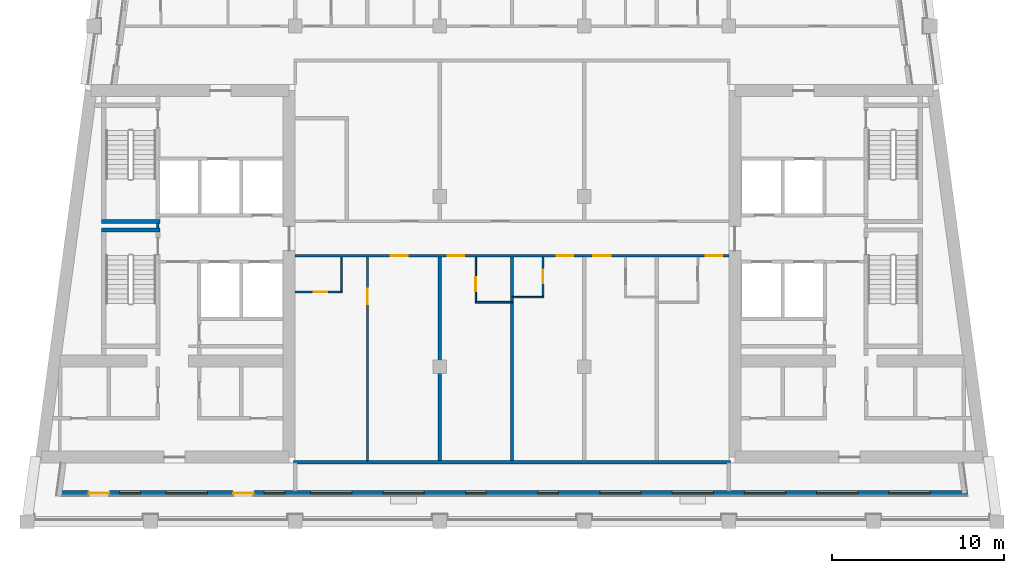
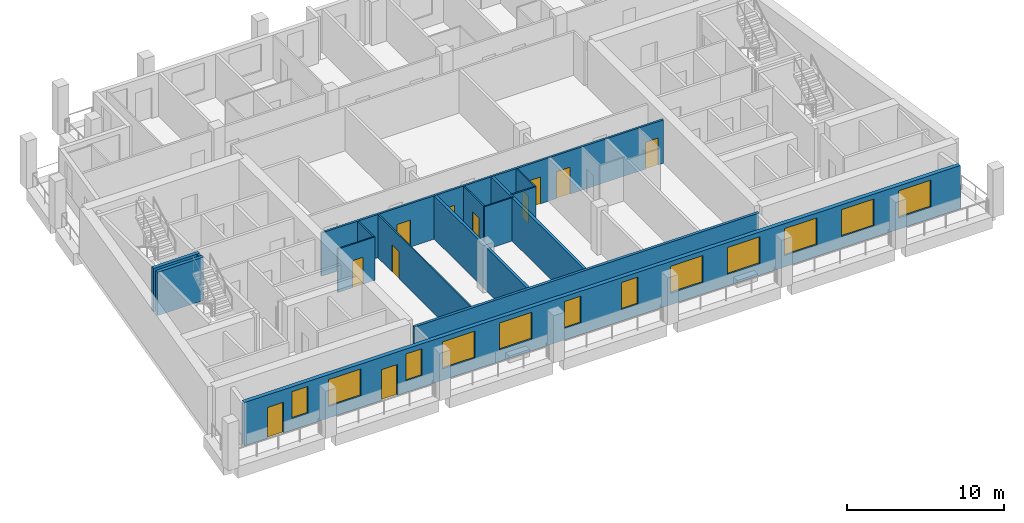
# One storey, part 3 of 13: 15 walls, 12 windows, 11 doors, 23 openings.
"""IFC4 building model written with IfcOpenShell, lengths in metres."""

from ifc_helpers import new_model, si_unit, direction, frame, frame_2d, origin, place, context, subcontext, project, spatial, rectangle, extrude, material, layer, layer_set, type_object, element, fill, save


model = new_model("IFC4")

# Units and contexts
model_context = context("Model", 3, precision=1e-05, world=origin(), true_north=direction((0.0, 1.0)))
body_context = subcontext(model_context, "Body", "Model", "MODEL_VIEW")
ifc_project = project(units=[si_unit("LENGTHUNIT", "METRE"), si_unit("AREAUNIT", "SQUARE_METRE"), si_unit("VOLUMEUNIT", "CUBIC_METRE"), si_unit("PLANEANGLEUNIT", "RADIAN"), si_unit("MASSUNIT", "GRAM", prefix="KILO")], contexts=[model_context])

# Site, building, storey
site_placement = place(None, origin())
site = spatial("IfcSite", under=ifc_project, at=site_placement, CompositionType="ELEMENT")
building_placement = place(site_placement, origin())
building = spatial("IfcBuilding", under=site, at=building_placement, Name="Candeia Pilgrim Tower and Theatre", CompositionType="ELEMENT")
storey_placement = place(building_placement, frame((0.0, 0.0, 277.5)))
storey = spatial("IfcBuildingStorey", under=building, at=storey_placement, Name="L67", CompositionType="ELEMENT", Elevation=277.5)

# Wall, openings, doors, windows
ifc_material_1 = material(Name="Ceramic block masonry", Category="masonry")
ifc_layer_1 = layer(ifc_material_1, 0.300048828125)
ifc_layer_set_1 = layer_set([ifc_layer_1], Name="EW1 glazing-line wall 300")
wall_type_1 = type_object("IfcWallType", Name="EW1 glazing-line wall 300", PredefinedType="SOLIDWALL", material=ifc_layer_set_1)
wall_1_placement = place(storey_placement, frame((87.0986328125, 108.64990234375, 0.0), z_axis=(0.0, 0.0, 1.0), x_axis=(1.0, 0.0, 0.0)))
wall_1 = element("IfcWall", 1, at=wall_1_placement, inside=storey, type_object=wall_type_1, Name="External wall L67-1.0", PredefinedType="SOLIDWALL", context=body_context, shape_type="SweptSolid", body=[
    extrude(rectangle(XDim=52.7744140625, YDim=0.300048828125, at=frame_2d((26.38720703125, 0.0))), origin(), (0.0, 0.0, 1.0), 3.3798828125),
])
opening_1_placement = place(wall_1_placement, frame((1.701416015625, 0.0, 0.0)))
opening_1 = element("IfcOpeningElement", 2, at=opening_1_placement, cuts=wall_1, Name="Opening L67-ED629", PredefinedType="OPENING", context=body_context, shape_type="SweptSolid", body=[
    extrude(rectangle(XDim=1.199951171875, YDim=2.39990234375, at=frame_2d((0.60009765625, 1.199951171875))), frame((0.0, 0.16015625, 0.0), z_axis=(0.0, -1.0, 0.0), x_axis=(1.0, 0.0, 0.0)), (0.0, 0.0, 1.0), 0.320068359375),
])
opening_2_placement = place(wall_1_placement, frame((3.50146484375, 0.0, 0.89990234375)))
opening_2 = element("IfcOpeningElement", 3, at=opening_2_placement, cuts=wall_1, Name="Opening W-B", PredefinedType="OPENING", context=body_context, shape_type="SweptSolid", body=[
    extrude(rectangle(XDim=1.199951171875, YDim=2.10009765625, at=frame_2d((0.60009765625, 1.050048828125))), frame((0.0, 0.16015625, 0.0), z_axis=(0.0, -1.0, 0.0), x_axis=(1.0, 0.0, 0.0)), (0.0, 0.0, 1.0), 0.320068359375),
])
opening_3_placement = place(wall_1_placement, frame((6.201416015625, 0.0, 0.89990234375)))
opening_3 = element("IfcOpeningElement", 4, at=opening_3_placement, cuts=wall_1, Name="Opening W-A", PredefinedType="OPENING", context=body_context, shape_type="SweptSolid", body=[
    extrude(rectangle(XDim=2.39990234375, YDim=2.10009765625, at=frame_2d((1.199951171875, 1.050048828125))), frame((0.0, 0.16015625, 0.0), z_axis=(0.0, -1.0, 0.0), x_axis=(1.0, 0.0, 0.0)), (0.0, 0.0, 1.0), 0.320068359375),
])
opening_4_placement = place(wall_1_placement, frame((10.1015625, 0.0, 0.0)))
opening_4 = element("IfcOpeningElement", 5, at=opening_4_placement, cuts=wall_1, Name="Opening L67-ED630", PredefinedType="OPENING", context=body_context, shape_type="SweptSolid", body=[
    extrude(rectangle(XDim=1.199951171875, YDim=2.39990234375, at=frame_2d((0.60009765625, 1.199951171875))), frame((0.0, 0.16015625, 0.0), z_axis=(0.0, -1.0, 0.0), x_axis=(1.0, 0.0, 0.0)), (0.0, 0.0, 1.0), 0.320068359375),
])
opening_5_placement = place(wall_1_placement, frame((11.9013671875, 0.0, 0.89990234375)))
opening_5 = element("IfcOpeningElement", 6, at=opening_5_placement, cuts=wall_1, Name="Opening W-B", PredefinedType="OPENING", context=body_context, shape_type="SweptSolid", body=[
    extrude(rectangle(XDim=1.199951171875, YDim=2.10009765625, at=frame_2d((0.60009765625, 1.050048828125))), frame((0.0, 0.16015625, 0.0), z_axis=(0.0, -1.0, 0.0), x_axis=(1.0, 0.0, 0.0)), (0.0, 0.0, 1.0), 0.320068359375),
])
opening_6_placement = place(wall_1_placement, frame((14.6015625, 0.0, 0.89990234375)))
opening_6 = element("IfcOpeningElement", 7, at=opening_6_placement, cuts=wall_1, Name="Opening W-A", PredefinedType="OPENING", context=body_context, shape_type="SweptSolid", body=[
    extrude(rectangle(XDim=2.39990234375, YDim=2.10009765625, at=frame_2d((1.199951171875, 1.050048828125))), frame((0.0, 0.16015625, 0.0), z_axis=(0.0, -1.0, 0.0), x_axis=(1.0, 0.0, 0.0)), (0.0, 0.0, 1.0), 0.320068359375),
])
opening_7_placement = place(wall_1_placement, frame((18.801513671875, 0.0, 0.89990234375)))
opening_7 = element("IfcOpeningElement", 8, at=opening_7_placement, cuts=wall_1, Name="Opening W-A", PredefinedType="OPENING", context=body_context, shape_type="SweptSolid", body=[
    extrude(rectangle(XDim=2.39990234375, YDim=2.10009765625, at=frame_2d((1.199951171875, 1.050048828125))), frame((0.0, 0.16015625, 0.0), z_axis=(0.0, -1.0, 0.0), x_axis=(1.0, 0.0, 0.0)), (0.0, 0.0, 1.0), 0.320068359375),
])
opening_8_placement = place(wall_1_placement, frame((23.6015625, 0.0, 0.89990234375)))
opening_8 = element("IfcOpeningElement", 9, at=opening_8_placement, cuts=wall_1, Name="Opening W-B", PredefinedType="OPENING", context=body_context, shape_type="SweptSolid", body=[
    extrude(rectangle(XDim=1.199951171875, YDim=2.10009765625, at=frame_2d((0.60009765625, 1.050048828125))), frame((0.0, 0.16015625, 0.0), z_axis=(0.0, -1.0, 0.0), x_axis=(1.0, 0.0, 0.0)), (0.0, 0.0, 1.0), 0.320068359375),
])
opening_9_placement = place(wall_1_placement, frame((27.801513671875, 0.0, 0.89990234375)))
opening_9 = element("IfcOpeningElement", 10, at=opening_9_placement, cuts=wall_1, Name="Opening W-B", PredefinedType="OPENING", context=body_context, shape_type="SweptSolid", body=[
    extrude(rectangle(XDim=1.199951171875, YDim=2.10009765625, at=frame_2d((0.60009765625, 1.050048828125))), frame((0.0, 0.16015625, 0.0), z_axis=(0.0, -1.0, 0.0), x_axis=(1.0, 0.0, 0.0)), (0.0, 0.0, 1.0), 0.320068359375),
])
opening_10_placement = place(wall_1_placement, frame((31.4013671875, 0.0, 0.89990234375)))
opening_10 = element("IfcOpeningElement", 11, at=opening_10_placement, cuts=wall_1, Name="Opening W-A", PredefinedType="OPENING", context=body_context, shape_type="SweptSolid", body=[
    extrude(rectangle(XDim=2.39990234375, YDim=2.10009765625, at=frame_2d((1.199951171875, 1.050048828125))), frame((0.0, 0.16015625, 0.0), z_axis=(0.0, -1.0, 0.0), x_axis=(1.0, 0.0, 0.0)), (0.0, 0.0, 1.0), 0.320068359375),
])
opening_11_placement = place(wall_1_placement, frame((35.6015625, 0.0, 0.89990234375)))
opening_11 = element("IfcOpeningElement", 12, at=opening_11_placement, cuts=wall_1, Name="Opening W-A", PredefinedType="OPENING", context=body_context, shape_type="SweptSolid", body=[
    extrude(rectangle(XDim=2.39990234375, YDim=2.10009765625, at=frame_2d((1.199951171875, 1.050048828125))), frame((0.0, 0.16015625, 0.0), z_axis=(0.0, -1.0, 0.0), x_axis=(1.0, 0.0, 0.0)), (0.0, 0.0, 1.0), 0.320068359375),
])
opening_12_placement = place(wall_1_placement, frame((39.801513671875, 0.0, 0.89990234375)))
opening_12 = element("IfcOpeningElement", 13, at=opening_12_placement, cuts=wall_1, Name="Opening W-A", PredefinedType="OPENING", context=body_context, shape_type="SweptSolid", body=[
    extrude(rectangle(XDim=2.39990234375, YDim=2.10009765625, at=frame_2d((1.199951171875, 1.050048828125))), frame((0.0, 0.16015625, 0.0), z_axis=(0.0, -1.0, 0.0), x_axis=(1.0, 0.0, 0.0)), (0.0, 0.0, 1.0), 0.320068359375),
])
opening_13_placement = place(wall_1_placement, frame((44.00146484375, 0.0, 0.89990234375)))
opening_13 = element("IfcOpeningElement", 14, at=opening_13_placement, cuts=wall_1, Name="Opening W-A", PredefinedType="OPENING", context=body_context, shape_type="SweptSolid", body=[
    extrude(rectangle(XDim=2.39990234375, YDim=2.10009765625, at=frame_2d((1.199951171875, 1.050048828125))), frame((0.0, 0.16015625, 0.0), z_axis=(0.0, -1.0, 0.0), x_axis=(1.0, 0.0, 0.0)), (0.0, 0.0, 1.0), 0.320068359375),
])
opening_14_placement = place(wall_1_placement, frame((48.201416015625, 0.0, 0.89990234375)))
opening_14 = element("IfcOpeningElement", 15, at=opening_14_placement, cuts=wall_1, Name="Opening W-A", PredefinedType="OPENING", context=body_context, shape_type="SweptSolid", body=[
    extrude(rectangle(XDim=2.39990234375, YDim=2.10009765625, at=frame_2d((1.199951171875, 1.050048828125))), frame((0.0, 0.16015625, 0.0), z_axis=(0.0, -1.0, 0.0), x_axis=(1.0, 0.0, 0.0)), (0.0, 0.0, 1.0), 0.320068359375),
])
ifc_material_2 = material(Name="Aluminium framed glazed door", Category="aluminium")
door_type_1 = type_object("IfcDoorType", Name="Loggia door 1200x2400", OperationType="DOUBLE_DOOR_SINGLE_SWING", PredefinedType="DOOR", material=ifc_material_2)
door_1_placement = place(opening_1_placement, origin())
door_1 = element("IfcDoor", 16, at=door_1_placement, inside=storey, type_object=door_type_1, Name="Loggia door L67-ED629", OperationType="DOUBLE_DOOR_SINGLE_SWING", OverallHeight=2.39990234375, OverallWidth=1.199951171875, PredefinedType="DOOR", context=body_context, shape_type="SweptSolid", body=[
    extrude(rectangle(XDim=1.199951171875, YDim=2.39990234375, at=frame_2d((0.60009765625, 1.199951171875))), frame((0.0, 0.02490234375, 0.0), z_axis=(0.0, -1.0, 0.0), x_axis=(1.0, 0.0, 0.0)), (0.0, 0.0, 1.0), 0.050048828125),
])
fill(opening_1, door_1)
door_2_placement = place(opening_4_placement, origin())
door_2 = element("IfcDoor", 17, at=door_2_placement, inside=storey, type_object=door_type_1, Name="Loggia door L67-ED630", OperationType="DOUBLE_DOOR_SINGLE_SWING", OverallHeight=2.39990234375, OverallWidth=1.199951171875, PredefinedType="DOOR", context=body_context, shape_type="SweptSolid", body=[
    extrude(rectangle(XDim=1.199951171875, YDim=2.39990234375, at=frame_2d((0.60009765625, 1.199951171875))), frame((0.0, 0.02490234375, 0.0), z_axis=(0.0, -1.0, 0.0), x_axis=(1.0, 0.0, 0.0)), (0.0, 0.0, 1.0), 0.050048828125),
])
fill(opening_4, door_2)
ifc_material_3 = material(Name="Aluminium framed double glazing", Category="aluminium")
window_type_1 = type_object("IfcWindowType", Name="W-A window 2400x2100", PartitioningType="DOUBLE_PANEL_VERTICAL", PredefinedType="WINDOW", material=ifc_material_3)
window_1_placement = place(opening_3_placement, origin())
window_1 = element("IfcWindow", 18, at=window_1_placement, inside=storey, type_object=window_type_1, Name="Window W-A L67", OverallHeight=2.10009765625, OverallWidth=2.39990234375, PartitioningType="SINGLE_PANEL", PredefinedType="WINDOW", context=body_context, shape_type="SweptSolid", body=[
    extrude(rectangle(XDim=2.39990234375, YDim=2.10009765625, at=frame_2d((1.199951171875, 1.050048828125))), frame((0.0, 0.030029296875, 0.0), z_axis=(0.0, -1.0, 0.0), x_axis=(1.0, 0.0, 0.0)), (0.0, 0.0, 1.0), 0.06005859375),
])
fill(opening_3, window_1)
window_2_placement = place(opening_6_placement, origin())
window_2 = element("IfcWindow", 19, at=window_2_placement, inside=storey, type_object=window_type_1, Name="Window W-A L67", OverallHeight=2.10009765625, OverallWidth=2.39990234375, PartitioningType="SINGLE_PANEL", PredefinedType="WINDOW", context=body_context, shape_type="SweptSolid", body=[
    extrude(rectangle(XDim=2.39990234375, YDim=2.10009765625, at=frame_2d((1.199951171875, 1.050048828125))), frame((0.0, 0.030029296875, 0.0), z_axis=(0.0, -1.0, 0.0), x_axis=(1.0, 0.0, 0.0)), (0.0, 0.0, 1.0), 0.06005859375),
])
fill(opening_6, window_2)
window_3_placement = place(opening_7_placement, origin())
window_3 = element("IfcWindow", 20, at=window_3_placement, inside=storey, type_object=window_type_1, Name="Window W-A L67", OverallHeight=2.10009765625, OverallWidth=2.39990234375, PartitioningType="SINGLE_PANEL", PredefinedType="WINDOW", context=body_context, shape_type="SweptSolid", body=[
    extrude(rectangle(XDim=2.39990234375, YDim=2.10009765625, at=frame_2d((1.199951171875, 1.050048828125))), frame((0.0, 0.030029296875, 0.0), z_axis=(0.0, -1.0, 0.0), x_axis=(1.0, 0.0, 0.0)), (0.0, 0.0, 1.0), 0.06005859375),
])
fill(opening_7, window_3)
window_4_placement = place(opening_10_placement, origin())
window_4 = element("IfcWindow", 21, at=window_4_placement, inside=storey, type_object=window_type_1, Name="Window W-A L67", OverallHeight=2.10009765625, OverallWidth=2.39990234375, PartitioningType="SINGLE_PANEL", PredefinedType="WINDOW", context=body_context, shape_type="SweptSolid", body=[
    extrude(rectangle(XDim=2.39990234375, YDim=2.10009765625, at=frame_2d((1.199951171875, 1.050048828125))), frame((0.0, 0.030029296875, 0.0), z_axis=(0.0, -1.0, 0.0), x_axis=(1.0, 0.0, 0.0)), (0.0, 0.0, 1.0), 0.06005859375),
])
fill(opening_10, window_4)
window_5_placement = place(opening_11_placement, origin())
window_5 = element("IfcWindow", 22, at=window_5_placement, inside=storey, type_object=window_type_1, Name="Window W-A L67", OverallHeight=2.10009765625, OverallWidth=2.39990234375, PartitioningType="SINGLE_PANEL", PredefinedType="WINDOW", context=body_context, shape_type="SweptSolid", body=[
    extrude(rectangle(XDim=2.39990234375, YDim=2.10009765625, at=frame_2d((1.199951171875, 1.050048828125))), frame((0.0, 0.030029296875, 0.0), z_axis=(0.0, -1.0, 0.0), x_axis=(1.0, 0.0, 0.0)), (0.0, 0.0, 1.0), 0.06005859375),
])
fill(opening_11, window_5)
window_6_placement = place(opening_12_placement, origin())
window_6 = element("IfcWindow", 23, at=window_6_placement, inside=storey, type_object=window_type_1, Name="Window W-A L67", OverallHeight=2.10009765625, OverallWidth=2.39990234375, PartitioningType="SINGLE_PANEL", PredefinedType="WINDOW", context=body_context, shape_type="SweptSolid", body=[
    extrude(rectangle(XDim=2.39990234375, YDim=2.10009765625, at=frame_2d((1.199951171875, 1.050048828125))), frame((0.0, 0.030029296875, 0.0), z_axis=(0.0, -1.0, 0.0), x_axis=(1.0, 0.0, 0.0)), (0.0, 0.0, 1.0), 0.06005859375),
])
fill(opening_12, window_6)
window_7_placement = place(opening_13_placement, origin())
window_7 = element("IfcWindow", 24, at=window_7_placement, inside=storey, type_object=window_type_1, Name="Window W-A L67", OverallHeight=2.10009765625, OverallWidth=2.39990234375, PartitioningType="SINGLE_PANEL", PredefinedType="WINDOW", context=body_context, shape_type="SweptSolid", body=[
    extrude(rectangle(XDim=2.39990234375, YDim=2.10009765625, at=frame_2d((1.199951171875, 1.050048828125))), frame((0.0, 0.030029296875, 0.0), z_axis=(0.0, -1.0, 0.0), x_axis=(1.0, 0.0, 0.0)), (0.0, 0.0, 1.0), 0.06005859375),
])
fill(opening_13, window_7)
window_8_placement = place(opening_14_placement, origin())
window_8 = element("IfcWindow", 25, at=window_8_placement, inside=storey, type_object=window_type_1, Name="Window W-A L67", OverallHeight=2.10009765625, OverallWidth=2.39990234375, PartitioningType="SINGLE_PANEL", PredefinedType="WINDOW", context=body_context, shape_type="SweptSolid", body=[
    extrude(rectangle(XDim=2.39990234375, YDim=2.10009765625, at=frame_2d((1.199951171875, 1.050048828125))), frame((0.0, 0.030029296875, 0.0), z_axis=(0.0, -1.0, 0.0), x_axis=(1.0, 0.0, 0.0)), (0.0, 0.0, 1.0), 0.06005859375),
])
fill(opening_14, window_8)
window_type_2 = type_object("IfcWindowType", Name="W-B window 1200x2100", PartitioningType="SINGLE_PANEL", PredefinedType="WINDOW", material=ifc_material_3)
window_9_placement = place(opening_2_placement, origin())
window_9 = element("IfcWindow", 26, at=window_9_placement, inside=storey, type_object=window_type_2, Name="Window W-B L67", OverallHeight=2.10009765625, OverallWidth=1.199951171875, PartitioningType="SINGLE_PANEL", PredefinedType="WINDOW", context=body_context, shape_type="SweptSolid", body=[
    extrude(rectangle(XDim=1.199951171875, YDim=2.10009765625, at=frame_2d((0.60009765625, 1.050048828125))), frame((0.0, 0.030029296875, 0.0), z_axis=(0.0, -1.0, 0.0), x_axis=(1.0, 0.0, 0.0)), (0.0, 0.0, 1.0), 0.06005859375),
])
fill(opening_2, window_9)
window_10_placement = place(opening_5_placement, origin())
window_10 = element("IfcWindow", 27, at=window_10_placement, inside=storey, type_object=window_type_2, Name="Window W-B L67", OverallHeight=2.10009765625, OverallWidth=1.199951171875, PartitioningType="SINGLE_PANEL", PredefinedType="WINDOW", context=body_context, shape_type="SweptSolid", body=[
    extrude(rectangle(XDim=1.199951171875, YDim=2.10009765625, at=frame_2d((0.60009765625, 1.050048828125))), frame((0.0, 0.030029296875, 0.0), z_axis=(0.0, -1.0, 0.0), x_axis=(1.0, 0.0, 0.0)), (0.0, 0.0, 1.0), 0.06005859375),
])
fill(opening_5, window_10)
window_11_placement = place(opening_8_placement, origin())
window_11 = element("IfcWindow", 28, at=window_11_placement, inside=storey, type_object=window_type_2, Name="Window W-B L67", OverallHeight=2.10009765625, OverallWidth=1.199951171875, PartitioningType="SINGLE_PANEL", PredefinedType="WINDOW", context=body_context, shape_type="SweptSolid", body=[
    extrude(rectangle(XDim=1.199951171875, YDim=2.10009765625, at=frame_2d((0.60009765625, 1.050048828125))), frame((0.0, 0.030029296875, 0.0), z_axis=(0.0, -1.0, 0.0), x_axis=(1.0, 0.0, 0.0)), (0.0, 0.0, 1.0), 0.06005859375),
])
fill(opening_8, window_11)
window_12_placement = place(opening_9_placement, origin())
window_12 = element("IfcWindow", 29, at=window_12_placement, inside=storey, type_object=window_type_2, Name="Window W-B L67", OverallHeight=2.10009765625, OverallWidth=1.199951171875, PartitioningType="SINGLE_PANEL", PredefinedType="WINDOW", context=body_context, shape_type="SweptSolid", body=[
    extrude(rectangle(XDim=1.199951171875, YDim=2.10009765625, at=frame_2d((0.60009765625, 1.050048828125))), frame((0.0, 0.030029296875, 0.0), z_axis=(0.0, -1.0, 0.0), x_axis=(1.0, 0.0, 0.0)), (0.0, 0.0, 1.0), 0.06005859375),
])
fill(opening_9, window_12)

# Walls
ifc_material_4 = material(Name="Gypsum board partition on steel studs", Category="steel")
ifc_layer_2 = layer(ifc_material_4, 0.10009765625)
ifc_layer_set_2 = layer_set([ifc_layer_2], Name="PW-100 room partition")
wall_type_2 = type_object("IfcWallType", Name="PW-100 room partition", PredefinedType="PARTITIONING", material=ifc_layer_set_2)
wall_2_placement = place(storey_placement, frame((111.25, 119.75, 0.0), z_axis=(0.0, 0.0, 1.0), x_axis=(1.0, 0.0, 0.0)))
element("IfcWall", 30, at=wall_2_placement, inside=storey, type_object=wall_type_2, Name="Room partition L67-014", PredefinedType="PARTITIONING", context=body_context, shape_type="SweptSolid", body=[
    extrude(rectangle(XDim=2.14990234375, YDim=0.10009765625, at=frame_2d((1.074951171875, 0.0))), origin(), (0.0, 0.0, 1.0), 3.3798828125),
])
wall_3_placement = place(storey_placement, frame((113.39990234375, 120.050048828125, 0.0), z_axis=(0.0, 0.0, 1.0), x_axis=(1.0, 0.0, 0.0)))
element("IfcWall", 31, at=wall_3_placement, inside=storey, type_object=wall_type_2, Name="Room partition L67-016", PredefinedType="PARTITIONING", context=body_context, shape_type="SweptSolid", body=[
    extrude(rectangle(XDim=1.85009765625, YDim=0.10009765625, at=frame_2d((0.925048828125, 0.0))), origin(), (0.0, 0.0, 1.0), 3.3798828125),
])

# Wall, opening, door
wall_4_placement = place(storey_placement, frame((100.800048828125, 120.35009765625, 0.0), z_axis=(0.0, 0.0, 1.0), x_axis=(1.0, 0.0, 0.0)))
wall_4 = element("IfcWall", 32, at=wall_4_placement, inside=storey, type_object=wall_type_2, Name="Room partition L67-018", PredefinedType="PARTITIONING", context=body_context, shape_type="SweptSolid", body=[
    extrude(rectangle(XDim=2.75, YDim=0.10009765625, at=frame_2d((1.375, 0.0))), origin(), (0.0, 0.0, 1.0), 3.3798828125),
])
opening_15_placement = place(wall_4_placement, frame((1.070068359375, 0.0, 0.0)))
opening_15 = element("IfcOpeningElement", 33, at=opening_15_placement, cuts=wall_4, Name="Opening L67-D019", PredefinedType="OPENING", context=body_context, shape_type="SweptSolid", body=[
    extrude(rectangle(XDim=0.800048828125, YDim=2.10009765625, at=frame_2d((0.39990234375, 1.050048828125))), frame((0.0, 0.06005859375, 0.0), z_axis=(0.0, -1.0, 0.0), x_axis=(1.0, 0.0, 0.0)), (0.0, 0.0, 1.0), 0.1201171875),
])
ifc_material_5 = material(Name="Timber door leaf", Category="wood")
door_type_2 = type_object("IfcDoorType", Name="D-800", OperationType="NOTDEFINED", PredefinedType="DOOR", material=ifc_material_5)
door_3_placement = place(opening_15_placement, origin())
door_3 = element("IfcDoor", 34, at=door_3_placement, inside=storey, type_object=door_type_2, Name="Door L67-D019", OperationType="SINGLE_SWING_RIGHT", OverallHeight=2.10009765625, OverallWidth=0.800048828125, PredefinedType="DOOR", context=body_context, shape_type="SweptSolid", body=[
    extrude(rectangle(XDim=0.800048828125, YDim=2.10009765625, at=frame_2d((0.39990234375, 1.050048828125))), frame((0.0, 0.02490234375, 0.0), z_axis=(0.0, -1.0, 0.0), x_axis=(1.0, 0.0, 0.0)), (0.0, 0.0, 1.0), 0.050048828125),
])
fill(opening_15, door_3)

# Wall
wall_5_placement = place(storey_placement, frame((103.5, 120.39990234375, 0.0), z_axis=(0.0, 0.0, 1.0), x_axis=(0.0, 1.0, 0.0)))
element("IfcWall", 35, at=wall_5_placement, inside=storey, type_object=wall_type_2, Name="Room partition L67-065", PredefinedType="PARTITIONING", context=body_context, shape_type="SweptSolid", body=[
    extrude(rectangle(XDim=1.97509765625, YDim=0.10009765625, at=frame_2d((0.987548828125, 0.0))), origin(), (0.0, 0.0, 1.0), 3.3798828125),
])

# Wall, opening, door
wall_6_placement = place(storey_placement, frame((105.0, 110.550048828125, 0.0), z_axis=(0.0, 0.0, 1.0), x_axis=(0.0, 1.0, 0.0)))
wall_6 = element("IfcWall", 36, at=wall_6_placement, inside=storey, type_object=wall_type_2, Name="Room partition L67-067", PredefinedType="PARTITIONING", context=body_context, shape_type="SweptSolid", body=[
    extrude(rectangle(XDim=11.824951171875, YDim=0.10009765625, at=frame_2d((5.91259765625, 0.0))), origin(), (0.0, 0.0, 1.0), 3.3798828125),
])
opening_16_placement = place(wall_6_placement, frame((9.090087890625, 0.0, 0.0)))
opening_16 = element("IfcOpeningElement", 37, at=opening_16_placement, cuts=wall_6, Name="Opening L67-D018", PredefinedType="OPENING", context=body_context, shape_type="SweptSolid", body=[
    extrude(rectangle(XDim=0.89990234375, YDim=2.10009765625, at=frame_2d((0.449951171875, 1.050048828125))), frame((0.0, 0.06005859375, 0.0), z_axis=(0.0, -1.0, 0.0), x_axis=(1.0, 0.0, 0.0)), (0.0, 0.0, 1.0), 0.1201171875),
])
door_type_3 = type_object("IfcDoorType", Name="D-900", OperationType="NOTDEFINED", PredefinedType="DOOR", material=ifc_material_5)
door_4_placement = place(opening_16_placement, origin())
door_4 = element("IfcDoor", 38, at=door_4_placement, inside=storey, type_object=door_type_3, Name="Door L67-D018", OperationType="SINGLE_SWING_LEFT", OverallHeight=2.10009765625, OverallWidth=0.89990234375, PredefinedType="DOOR", context=body_context, shape_type="SweptSolid", body=[
    extrude(rectangle(XDim=0.89990234375, YDim=2.10009765625, at=frame_2d((0.449951171875, 1.050048828125))), frame((0.0, 0.02490234375, 0.0), z_axis=(0.0, -1.0, 0.0), x_axis=(1.0, 0.0, 0.0)), (0.0, 0.0, 1.0), 0.050048828125),
])
fill(opening_16, door_4)

wall_7_placement = place(storey_placement, frame((111.300048828125, 119.800048828125, 0.0), z_axis=(0.0, 0.0, 1.0), x_axis=(0.0, 1.0, 0.0)))
wall_7 = element("IfcWall", 39, at=wall_7_placement, inside=storey, type_object=wall_type_2, Name="Room partition L67-073", PredefinedType="PARTITIONING", context=body_context, shape_type="SweptSolid", body=[
    extrude(rectangle(XDim=2.574951171875, YDim=0.10009765625, at=frame_2d((1.28759765625, 0.0))), origin(), (0.0, 0.0, 1.0), 3.3798828125),
])
opening_17_placement = place(wall_7_placement, frame((0.60009765625, 0.0, 0.0)))
opening_17 = element("IfcOpeningElement", 40, at=opening_17_placement, cuts=wall_7, Name="Opening L67-D021", PredefinedType="OPENING", context=body_context, shape_type="SweptSolid", body=[
    extrude(rectangle(XDim=0.800048828125, YDim=2.10009765625, at=frame_2d((0.39990234375, 1.050048828125))), frame((0.0, 0.06005859375, 0.0), z_axis=(0.0, -1.0, 0.0), x_axis=(1.0, 0.0, 0.0)), (0.0, 0.0, 1.0), 0.1201171875),
])
door_5_placement = place(opening_17_placement, origin())
door_5 = element("IfcDoor", 41, at=door_5_placement, inside=storey, type_object=door_type_2, Name="Door L67-D021", OperationType="SINGLE_SWING_RIGHT", OverallHeight=2.10009765625, OverallWidth=0.800048828125, PredefinedType="DOOR", context=body_context, shape_type="SweptSolid", body=[
    extrude(rectangle(XDim=0.800048828125, YDim=2.10009765625, at=frame_2d((0.39990234375, 1.050048828125))), frame((0.0, 0.02490234375, 0.0), z_axis=(0.0, -1.0, 0.0), x_axis=(1.0, 0.0, 0.0)), (0.0, 0.0, 1.0), 0.050048828125),
])
fill(opening_17, door_5)

wall_8_placement = place(storey_placement, frame((115.199951171875, 120.10009765625, 0.0), z_axis=(0.0, 0.0, 1.0), x_axis=(0.0, 1.0, 0.0)))
wall_8 = element("IfcWall", 42, at=wall_8_placement, inside=storey, type_object=wall_type_2, Name="Room partition L67-076", PredefinedType="PARTITIONING", context=body_context, shape_type="SweptSolid", body=[
    extrude(rectangle(XDim=2.27490234375, YDim=0.10009765625, at=frame_2d((1.137451171875, 0.0))), origin(), (0.0, 0.0, 1.0), 3.3798828125),
])
opening_18_placement = place(wall_8_placement, frame((0.75, 0.0, 0.0)))
opening_18 = element("IfcOpeningElement", 43, at=opening_18_placement, cuts=wall_8, Name="Opening L67-D023", PredefinedType="OPENING", context=body_context, shape_type="SweptSolid", body=[
    extrude(rectangle(XDim=0.800048828125, YDim=2.10009765625, at=frame_2d((0.39990234375, 1.050048828125))), frame((0.0, 0.06005859375, 0.0), z_axis=(0.0, -1.0, 0.0), x_axis=(1.0, 0.0, 0.0)), (0.0, 0.0, 1.0), 0.1201171875),
])
door_6_placement = place(opening_18_placement, origin())
door_6 = element("IfcDoor", 44, at=door_6_placement, inside=storey, type_object=door_type_2, Name="Door L67-D023", OperationType="SINGLE_SWING_RIGHT", OverallHeight=2.10009765625, OverallWidth=0.800048828125, PredefinedType="DOOR", context=body_context, shape_type="SweptSolid", body=[
    extrude(rectangle(XDim=0.800048828125, YDim=2.10009765625, at=frame_2d((0.39990234375, 1.050048828125))), frame((0.0, 0.02490234375, 0.0), z_axis=(0.0, -1.0, 0.0), x_axis=(1.0, 0.0, 0.0)), (0.0, 0.0, 1.0), 0.050048828125),
])
fill(opening_18, door_6)

# Wall
ifc_layer_3 = layer(ifc_material_4, 0.14990234375)
ifc_layer_set_3 = layer_set([ifc_layer_3], Name="PW-150 lobby wall")
wall_type_3 = type_object("IfcWallType", Name="PW-150 lobby wall", PredefinedType="PARTITIONING", material=ifc_layer_set_3)
wall_9_placement = place(storey_placement, frame((92.826904296875, 124.074951171875, 0.0), z_axis=(0.0, 0.0, 1.0), x_axis=(0.0, 1.0, 0.0)))
element("IfcWall", 45, at=wall_9_placement, inside=storey, type_object=wall_type_3, Name="Lobby wall L67-050", PredefinedType="PARTITIONING", context=body_context, shape_type="SweptSolid", body=[
    extrude(rectangle(XDim=0.25, YDim=0.14990234375, at=frame_2d((0.125, 0.0))), origin(), (0.0, 0.0, 1.0), 3.3798828125),
])

# Wall, openings, doors
ifc_layer_4 = layer(ifc_material_4, 0.14990234375)
ifc_layer_set_4 = layer_set([ifc_layer_4], Name="PW-150 unit wall")
wall_type_4 = type_object("IfcWallType", Name="PW-150 unit wall", PredefinedType="PARTITIONING", material=ifc_layer_set_4)
wall_10_placement = place(storey_placement, frame((100.800048828125, 122.449951171875, 0.0), z_axis=(0.0, 0.0, 1.0), x_axis=(1.0, 0.0, 0.0)))
wall_10 = element("IfcWall", 46, at=wall_10_placement, inside=storey, type_object=wall_type_4, Name="Unit wall L67-023", PredefinedType="PARTITIONING", context=body_context, shape_type="SweptSolid", body=[
    extrude(rectangle(XDim=25.199951171875, YDim=0.14990234375, at=frame_2d((12.60009765625, 0.0))), origin(), (0.0, 0.0, 1.0), 3.3798828125),
])
opening_19_placement = place(wall_10_placement, frame((5.550048828125, 0.0, 0.0)))
opening_19 = element("IfcOpeningElement", 47, at=opening_19_placement, cuts=wall_10, Name="Opening L67-D017", PredefinedType="OPENING", context=body_context, shape_type="SweptSolid", body=[
    extrude(rectangle(XDim=1.0, YDim=2.10009765625, at=frame_2d((0.5, 1.050048828125))), frame((0.0, 0.0849609375, 0.0), z_axis=(0.0, -1.0, 0.0), x_axis=(1.0, 0.0, 0.0)), (0.0, 0.0, 1.0), 0.169921875),
])
opening_20_placement = place(wall_10_placement, frame((8.862060546875, 0.0, 0.0)))
opening_20 = element("IfcOpeningElement", 48, at=opening_20_placement, cuts=wall_10, Name="Opening L67-D020", PredefinedType="OPENING", context=body_context, shape_type="SweptSolid", body=[
    extrude(rectangle(XDim=0.949951171875, YDim=2.10009765625, at=frame_2d((0.47509765625, 1.050048828125))), frame((0.0, 0.0849609375, 0.0), z_axis=(0.0, -1.0, 0.0), x_axis=(1.0, 0.0, 0.0)), (0.0, 0.0, 1.0), 0.169921875),
])
opening_21_placement = place(wall_10_placement, frame((15.199951171875, 0.0, 0.0)))
opening_21 = element("IfcOpeningElement", 49, at=opening_21_placement, cuts=wall_10, Name="Opening L67-D022", PredefinedType="OPENING", context=body_context, shape_type="SweptSolid", body=[
    extrude(rectangle(XDim=0.949951171875, YDim=2.10009765625, at=frame_2d((0.47509765625, 1.050048828125))), frame((0.0, 0.0849609375, 0.0), z_axis=(0.0, -1.0, 0.0), x_axis=(1.0, 0.0, 0.0)), (0.0, 0.0, 1.0), 0.169921875),
])
opening_22_placement = place(wall_10_placement, frame((17.324951171875, 0.0, 0.0)))
opening_22 = element("IfcOpeningElement", 50, at=opening_22_placement, cuts=wall_10, Name="Opening L67-D024", PredefinedType="OPENING", context=body_context, shape_type="SweptSolid", body=[
    extrude(rectangle(XDim=1.0, YDim=2.10009765625, at=frame_2d((0.5, 1.050048828125))), frame((0.0, 0.0849609375, 0.0), z_axis=(0.0, -1.0, 0.0), x_axis=(1.0, 0.0, 0.0)), (0.0, 0.0, 1.0), 0.169921875),
])
opening_23_placement = place(wall_10_placement, frame((23.862060546875, 0.0, 0.0)))
opening_23 = element("IfcOpeningElement", 51, at=opening_23_placement, cuts=wall_10, Name="Opening L67-D026", PredefinedType="OPENING", context=body_context, shape_type="SweptSolid", body=[
    extrude(rectangle(XDim=0.949951171875, YDim=2.10009765625, at=frame_2d((0.47509765625, 1.050048828125))), frame((0.0, 0.0849609375, 0.0), z_axis=(0.0, -1.0, 0.0), x_axis=(1.0, 0.0, 0.0)), (0.0, 0.0, 1.0), 0.169921875),
])
ifc_material_6 = material(Name="Steel fire door set", Category="steel")
door_type_4 = type_object("IfcDoorType", Name="D-1000-FD30S", OperationType="NOTDEFINED", PredefinedType="DOOR", material=ifc_material_6)
door_7_placement = place(opening_19_placement, origin())
door_7 = element("IfcDoor", 52, at=door_7_placement, inside=storey, type_object=door_type_4, Name="Door L67-D017", OperationType="SINGLE_SWING_RIGHT", OverallHeight=2.10009765625, OverallWidth=1.0, PredefinedType="DOOR", context=body_context, shape_type="SweptSolid", body=[
    extrude(rectangle(XDim=1.0, YDim=2.10009765625, at=frame_2d((0.5, 1.050048828125))), frame((0.0, 0.02490234375, 0.0), z_axis=(0.0, -1.0, 0.0), x_axis=(1.0, 0.0, 0.0)), (0.0, 0.0, 1.0), 0.050048828125),
])
fill(opening_19, door_7)
door_8_placement = place(opening_22_placement, origin())
door_8 = element("IfcDoor", 53, at=door_8_placement, inside=storey, type_object=door_type_4, Name="Door L67-D024", OperationType="SINGLE_SWING_LEFT", OverallHeight=2.10009765625, OverallWidth=1.0, PredefinedType="DOOR", context=body_context, shape_type="SweptSolid", body=[
    extrude(rectangle(XDim=1.0, YDim=2.10009765625, at=frame_2d((0.5, 1.050048828125))), frame((0.0, 0.02490234375, 0.0), z_axis=(0.0, -1.0, 0.0), x_axis=(1.0, 0.0, 0.0)), (0.0, 0.0, 1.0), 0.050048828125),
])
fill(opening_22, door_8)
door_type_5 = type_object("IfcDoorType", Name="D-950-FD30S", OperationType="NOTDEFINED", PredefinedType="DOOR", material=ifc_material_6)
door_9_placement = place(opening_20_placement, origin())
door_9 = element("IfcDoor", 54, at=door_9_placement, inside=storey, type_object=door_type_5, Name="Door L67-D020", OperationType="SINGLE_SWING_LEFT", OverallHeight=2.10009765625, OverallWidth=0.949951171875, PredefinedType="DOOR", context=body_context, shape_type="SweptSolid", body=[
    extrude(rectangle(XDim=0.949951171875, YDim=2.10009765625, at=frame_2d((0.47509765625, 1.050048828125))), frame((0.0, 0.02490234375, 0.0), z_axis=(0.0, -1.0, 0.0), x_axis=(1.0, 0.0, 0.0)), (0.0, 0.0, 1.0), 0.050048828125),
])
fill(opening_20, door_9)
door_10_placement = place(opening_21_placement, origin())
door_10 = element("IfcDoor", 55, at=door_10_placement, inside=storey, type_object=door_type_5, Name="Door L67-D022", OperationType="SINGLE_SWING_LEFT", OverallHeight=2.10009765625, OverallWidth=0.949951171875, PredefinedType="DOOR", context=body_context, shape_type="SweptSolid", body=[
    extrude(rectangle(XDim=0.949951171875, YDim=2.10009765625, at=frame_2d((0.47509765625, 1.050048828125))), frame((0.0, 0.02490234375, 0.0), z_axis=(0.0, -1.0, 0.0), x_axis=(1.0, 0.0, 0.0)), (0.0, 0.0, 1.0), 0.050048828125),
])
fill(opening_21, door_10)
door_11_placement = place(opening_23_placement, origin())
door_11 = element("IfcDoor", 56, at=door_11_placement, inside=storey, type_object=door_type_5, Name="Door L67-D026", OperationType="SINGLE_SWING_LEFT", OverallHeight=2.10009765625, OverallWidth=0.949951171875, PredefinedType="DOOR", context=body_context, shape_type="SweptSolid", body=[
    extrude(rectangle(XDim=0.949951171875, YDim=2.10009765625, at=frame_2d((0.47509765625, 1.050048828125))), frame((0.0, 0.02490234375, 0.0), z_axis=(0.0, -1.0, 0.0), x_axis=(1.0, 0.0, 0.0)), (0.0, 0.0, 1.0), 0.050048828125),
])
fill(opening_23, door_11)

# Walls
ifc_layer_5 = layer(ifc_material_4, 0.199951171875)
ifc_layer_set_5 = layer_set([ifc_layer_5], Name="PW-200 party wall")
wall_type_5 = type_object("IfcWallType", Name="PW-200 party wall", PredefinedType="PARTITIONING", material=ifc_layer_set_5)
wall_11_placement = place(storey_placement, frame((100.699951171875, 110.449951171875, 0.0), z_axis=(0.0, 0.0, 1.0), x_axis=(1.0, 0.0, 0.0)))
element("IfcWall", 57, at=wall_11_placement, inside=storey, type_object=wall_type_5, Name="Party wall L67-001", PredefinedType="PARTITIONING", context=body_context, shape_type="SweptSolid", body=[
    extrude(rectangle(XDim=25.400146484375, YDim=0.199951171875, at=frame_2d((12.7001953125, 0.0))), origin(), (0.0, 0.0, 1.0), 3.3798828125),
])
for number, where, z_axis, x_axis, name in (
    (58, (109.199951171875, 110.550048828125, 0.0), (0.0, 0.0, 1.0), (0.0, 1.0, 0.0), "Party wall L67-071"),
    (59, (113.39990234375, 110.550048828125, 0.0), (0.0, 0.0, 1.0), (0.0, 1.0, 0.0), "Party wall L67-074"),
):
    element("IfcWall", number, at=place(storey_placement, frame(where, z_axis=z_axis, x_axis=x_axis)), inside=storey, type_object=wall_type_5, Name=name, PredefinedType="PARTITIONING", context=body_context, shape_type="SweptSolid", body=[
        extrude(rectangle(XDim=11.824951171875, YDim=0.199951171875, at=frame_2d((5.91259765625, 0.0))), origin(), (0.0, 0.0, 1.0), 3.3798828125),
    ])
ifc_material_7 = material(Name="Concrete C40/50", Category="concrete")
ifc_layer_6 = layer(ifc_material_7, 0.25)
ifc_layer_set_6 = layer_set([ifc_layer_6], Name="SW-250 stair wall")
wall_type_6 = type_object("IfcWallType", Name="SW-250 stair wall", PredefinedType="PARTITIONING", material=ifc_layer_set_6)
for number, where, z_axis, x_axis, name in (
    (60, (89.552001953125, 123.949951171875, 0.0), (0.0, 0.0, 1.0), (1.0, 0.0, 0.0), "Stair wall L67-024"),
    (61, (89.552001953125, 124.449951171875, 0.0), (0.0, 0.0, 1.0), (1.0, 0.0, 0.0), "Stair wall L67-026"),
):
    element("IfcWall", number, at=place(storey_placement, frame(where, z_axis=z_axis, x_axis=x_axis)), inside=storey, type_object=wall_type_6, Name=name, PredefinedType="PARTITIONING", context=body_context, shape_type="SweptSolid", body=[
        extrude(rectangle(XDim=3.39990234375, YDim=0.25, at=frame_2d((1.699951171875, 0.0))), origin(), (0.0, 0.0, 1.0), 3.3798828125),
    ])

save(model, "model.ifc")
